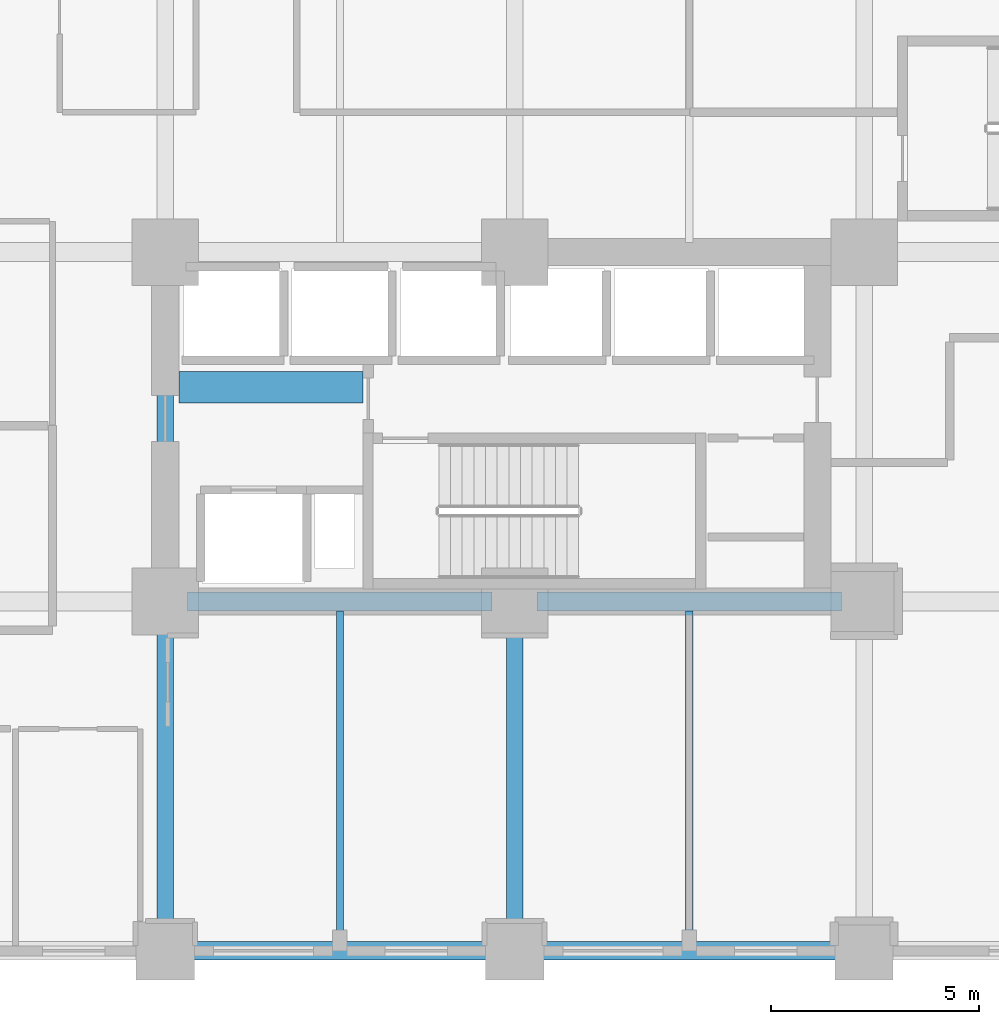
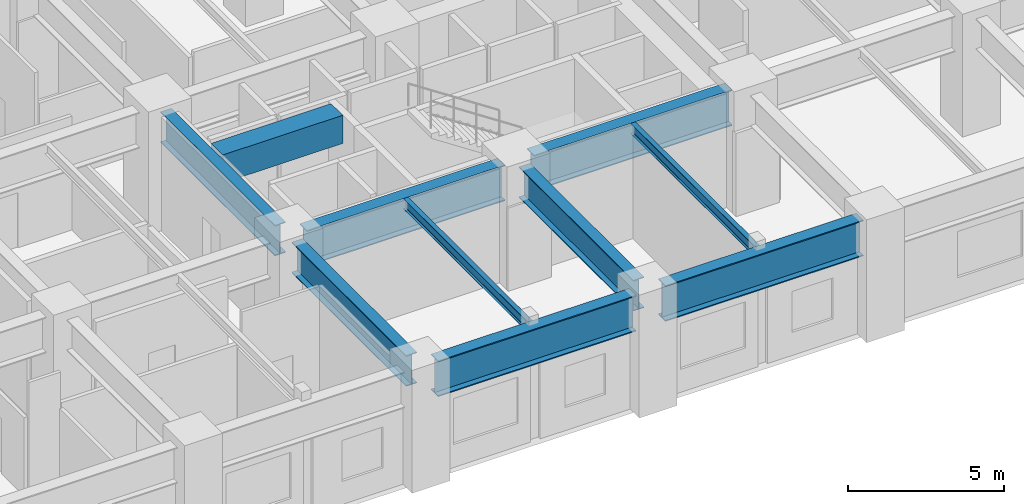
# One storey, part 3 of 24: 10 beams.
"""IFC4 building model written with IfcOpenShell, lengths in metres."""

from ifc_helpers import new_model, si_unit, direction, frame, origin, origin_2d, place, context, subcontext, project, spatial, rectangle, i_section, extrude, material, material_profile, profile_set, type_object, element, save


model = new_model("IFC4")

# Units and contexts
model_context = context("Model", 3, precision=1e-05, world=origin(), true_north=direction((0.0, 1.0)))
body_context = subcontext(model_context, "Body", "Model", "MODEL_VIEW")
ifc_project = project(units=[si_unit("LENGTHUNIT", "METRE"), si_unit("AREAUNIT", "SQUARE_METRE"), si_unit("VOLUMEUNIT", "CUBIC_METRE"), si_unit("PLANEANGLEUNIT", "RADIAN"), si_unit("MASSUNIT", "GRAM", prefix="KILO")], contexts=[model_context])

# Site, building, storey
site_placement = place(None, origin())
site = spatial("IfcSite", under=ifc_project, at=site_placement, CompositionType="ELEMENT")
building_placement = place(site_placement, origin())
building = spatial("IfcBuilding", under=site, at=building_placement, Name="Nerrivon Quay Data Exchange", CompositionType="ELEMENT")
storey_placement = place(building_placement, frame((0.0, 0.0, 15.0)))
storey = spatial("IfcBuildingStorey", under=building, at=storey_placement, Name="L03", CompositionType="ELEMENT", Elevation=15.0)

# Beams
ifc_material_1 = material(Name="Concrete S65 (65 MPa)", Category="concrete")
ifc_material_profile_1 = material_profile(ifc_material_1, rectangle(XDim=0.75, YDim=1.10009765625, at=origin_2d()), Name="RC-CB-750x1100")
ifc_profile_set_1 = profile_set([ifc_material_profile_1], Name="Concrete S65 (65 MPa)")
beam_type_1 = type_object("IfcBeamType", Name="BM-CB1-750x1100", PredefinedType="LINTEL", material=ifc_profile_set_1)
beam_1_placement = place(storey_placement, frame((17.125, 13.550048828125, 3.89990234375), z_axis=(1.0, 0.0, 0.0), x_axis=(0.0, 1.0, 0.0)))
element("IfcBeam", 1, at=beam_1_placement, inside=storey, type_object=beam_type_1, Name="L03 East Core Coupling Beam", PredefinedType="LINTEL", context=body_context, shape_type="SweptSolid", body=[
    extrude(rectangle(XDim=0.75, YDim=1.10009765625, at=origin_2d()), origin(), (0.0, 0.0, 1.0), 4.429931640625),
])
ifc_material_2 = material(Name="Steel Grade 350", Category="steel")
ifc_material_profile_2 = material_profile(ifc_material_2, i_section(OverallWidth=0.177978515625, OverallDepth=0.406005859375, WebThickness=0.0078125, FlangeThickness=0.0126953125, FilletRadius=0.011474609375, at=origin_2d()), Name="410UB59.7")
ifc_profile_set_2 = profile_set([ifc_material_profile_2], Name="Steel Grade 350")
beam_type_2 = type_object("IfcBeamType", Name="BM-J1-410UB60", PredefinedType="JOIST", material=ifc_profile_set_2)
for number, where, z_axis, x_axis, name in (
    (2, (21.0, 0.22509765625, 4.2470703125), (0.0, 1.0, 0.0), (-1.0, 0.0, 0.0), "L03 Secondary Joist X=21.0 (0.0..8.4)"),
    (3, (29.39990234375, 0.22509765625, 4.2470703125), (0.0, 1.0, 0.0), (-1.0, 0.0, 0.0), "L03 Secondary Joist X=29.4 (0.0..8.4)"),
):
    element("IfcBeam", number, at=place(storey_placement, frame(where, z_axis=z_axis, x_axis=x_axis)), inside=storey, type_object=beam_type_2, Name=name, PredefinedType="JOIST", context=body_context, shape_type="SweptSolid", body=[
        extrude(i_section(OverallWidth=0.177978515625, OverallDepth=0.406005859375, WebThickness=0.0078125, FlangeThickness=0.0126953125, FilletRadius=0.011474609375, at=origin_2d()), origin(), (0.0, 0.0, 1.0), 7.949951171875),
    ])
ifc_material_profile_3 = material_profile(ifc_material_2, i_section(OverallWidth=0.449951171875, OverallDepth=1.39990234375, WebThickness=0.02001953125, FlangeThickness=0.0400390625, at=origin_2d()), Name="1400WG455")
ifc_profile_set_3 = profile_set([ifc_material_profile_3], Name="Steel Grade 350")
beam_type_3 = type_object("IfcBeamType", Name="BM-TG1-1400WG", PredefinedType="USERDEFINED", material=ifc_profile_set_3)
beam_2_placement = place(storey_placement, frame((17.340087890625, 0.0, 3.75), z_axis=(1.0, 0.0, 0.0), x_axis=(0.0, 1.0, 0.0)))
element("IfcBeam", 4, at=beam_2_placement, inside=storey, type_object=beam_type_3, Name="L03 EW Girder Y=0.0 (16.8..25.2)", ObjectType="TRANSFER", PredefinedType="USERDEFINED", context=body_context, shape_type="SweptSolid", body=[
    extrude(i_section(OverallWidth=0.449951171875, OverallDepth=1.39990234375, WebThickness=0.02001953125, FlangeThickness=0.0400390625, at=origin_2d()), origin(), (0.0, 0.0, 1.0), 7.31982421875),
])
beam_3_placement = place(storey_placement, frame((25.739990234375, 0.0, 3.75), z_axis=(1.0, 0.0, 0.0), x_axis=(0.0, 1.0, 0.0)))
element("IfcBeam", 5, at=beam_3_placement, inside=storey, type_object=beam_type_3, Name="L03 EW Girder Y=0.0 (25.2..33.6)", ObjectType="TRANSFER", PredefinedType="USERDEFINED", context=body_context, shape_type="SweptSolid", body=[
    extrude(i_section(OverallWidth=0.449951171875, OverallDepth=1.39990234375, WebThickness=0.02001953125, FlangeThickness=0.0400390625, at=origin_2d()), origin(), (0.0, 0.0, 1.0), 7.320068359375),
])
beam_4_placement = place(storey_placement, frame((17.340087890625, 8.39990234375, 3.75), z_axis=(1.0, 0.0, 0.0), x_axis=(0.0, 1.0, 0.0)))
element("IfcBeam", 6, at=beam_4_placement, inside=storey, type_object=beam_type_3, Name="L03 EW Girder Y=8.4 (16.8..25.2)", ObjectType="TRANSFER", PredefinedType="USERDEFINED", context=body_context, shape_type="SweptSolid", body=[
    extrude(i_section(OverallWidth=0.449951171875, OverallDepth=1.39990234375, WebThickness=0.02001953125, FlangeThickness=0.0400390625, at=origin_2d()), origin(), (0.0, 0.0, 1.0), 7.31982421875),
])
beam_5_placement = place(storey_placement, frame((25.739990234375, 8.39990234375, 3.75), z_axis=(1.0, 0.0, 0.0), x_axis=(0.0, 1.0, 0.0)))
element("IfcBeam", 7, at=beam_5_placement, inside=storey, type_object=beam_type_3, Name="L03 EW Girder Y=8.4 (25.2..33.6)", ObjectType="TRANSFER", PredefinedType="USERDEFINED", context=body_context, shape_type="SweptSolid", body=[
    extrude(i_section(OverallWidth=0.449951171875, OverallDepth=1.39990234375, WebThickness=0.02001953125, FlangeThickness=0.0400390625, at=origin_2d()), origin(), (0.0, 0.0, 1.0), 7.320068359375),
])
ifc_material_profile_4 = material_profile(ifc_material_2, i_section(OverallWidth=0.39990234375, OverallDepth=1.199951171875, WebThickness=0.01611328125, FlangeThickness=0.031982421875, at=origin_2d()), Name="1200WB342")
ifc_profile_set_4 = profile_set([ifc_material_profile_4], Name="Steel Grade 350")
beam_type_4 = type_object("IfcBeamType", Name="BM-TG2-1200WB", PredefinedType="USERDEFINED", material=ifc_profile_set_4)
for number, where, z_axis, x_axis, name in (
    (8, (16.800048828125, 0.5400390625, 3.85009765625), (0.0, 1.0, 0.0), (-1.0, 0.0, 0.0), "L03 NS Girder X=16.8 (0.0..8.4)"),
    (9, (16.800048828125, 8.93994140625, 3.85009765625), (0.0, 1.0, 0.0), (-1.0, 0.0, 0.0), "L03 NS Girder X=16.8 (8.4..16.8)"),
    (10, (25.199951171875, 0.5400390625, 3.85009765625), (0.0, 1.0, 0.0), (-1.0, 0.0, 0.0), "L03 NS Girder X=25.2 (0.0..8.4)"),
):
    element("IfcBeam", number, at=place(storey_placement, frame(where, z_axis=z_axis, x_axis=x_axis)), inside=storey, type_object=beam_type_4, Name=name, ObjectType="TRANSFER", PredefinedType="USERDEFINED", context=body_context, shape_type="SweptSolid", body=[
        extrude(i_section(OverallWidth=0.39990234375, OverallDepth=1.199951171875, WebThickness=0.01611328125, FlangeThickness=0.031982421875, at=origin_2d()), origin(), (0.0, 0.0, 1.0), 7.320068359375),
    ])

save(model, "model.ifc")
